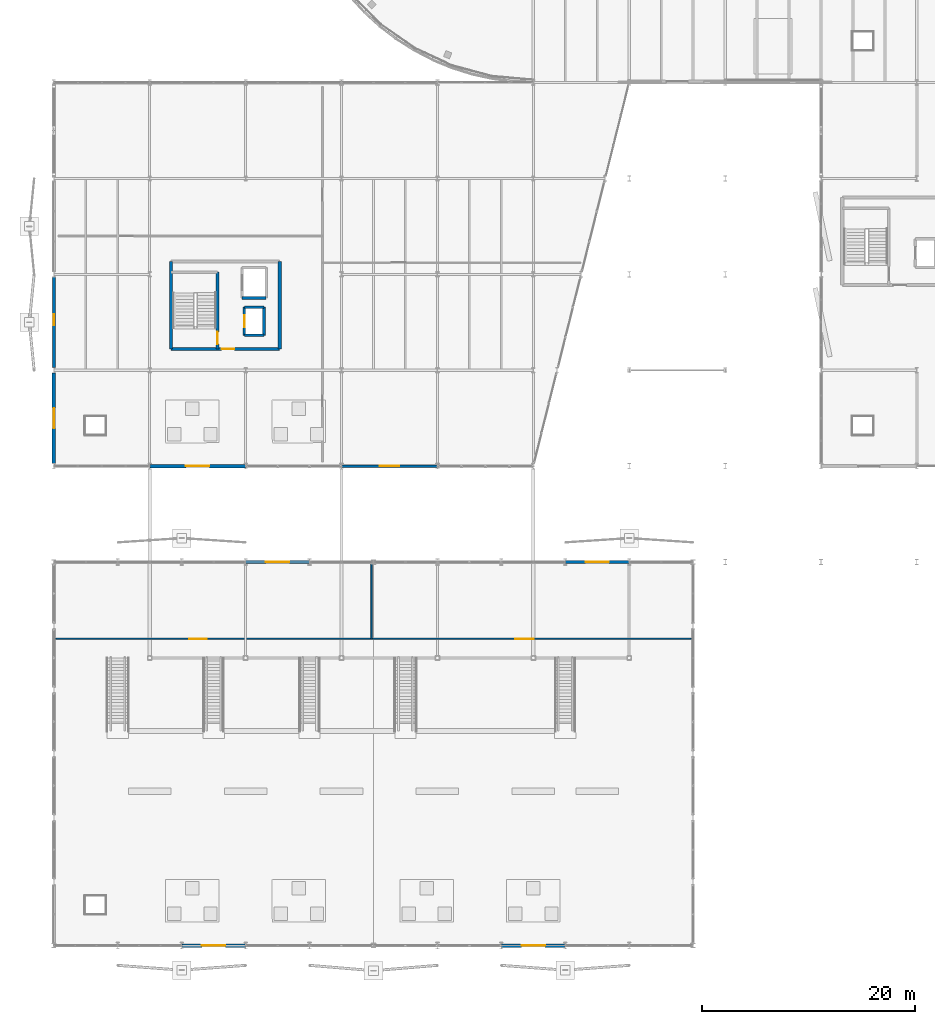
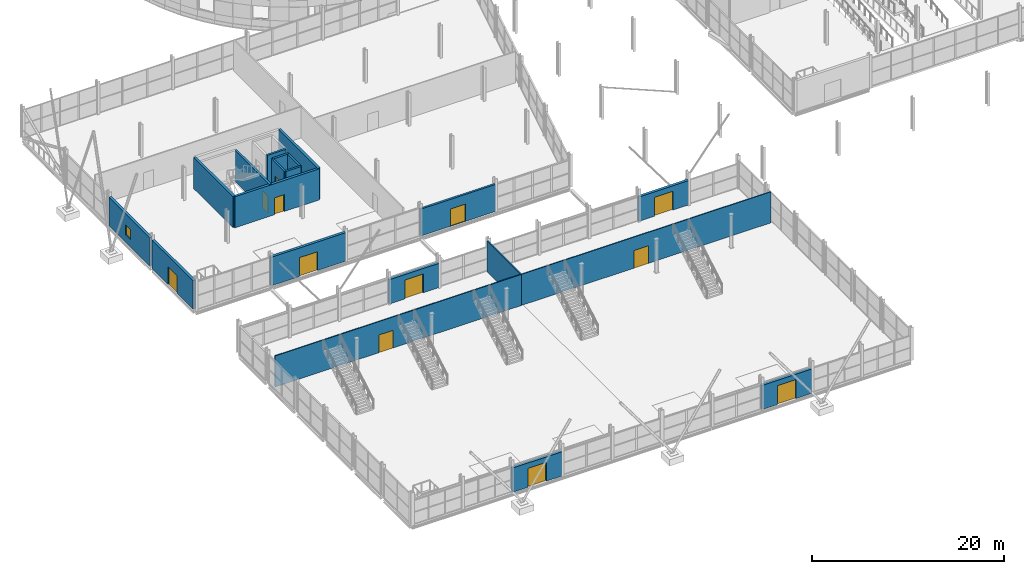
# One storey, part 119 of 140: 20 walls, 12 doors, 1 window, 13 openings.
"""IFC4 building model written with IfcOpenShell, lengths in metres."""

from ifc_helpers import new_model, si_unit, direction, frame, frame_2d, origin, place, context, subcontext, project, spatial, rectangle, extrude, material, layer, layer_set, type_object, element, fill, save


model = new_model("IFC4")

# Units and contexts
model_context = context("Model", 3, precision=1e-05, world=origin(), true_north=direction((0.0, 1.0)))
body_context = subcontext(model_context, "Body", "Model", "MODEL_VIEW")
ifc_project = project(units=[si_unit("LENGTHUNIT", "METRE"), si_unit("AREAUNIT", "SQUARE_METRE"), si_unit("VOLUMEUNIT", "CUBIC_METRE"), si_unit("PLANEANGLEUNIT", "RADIAN"), si_unit("MASSUNIT", "GRAM", prefix="KILO")], contexts=[model_context])

# Site, building, storey
site_placement = place(None, origin())
site = spatial("IfcSite", under=ifc_project, at=site_placement, CompositionType="ELEMENT")
building_placement = place(site_placement, origin())
building = spatial("IfcBuilding", under=site, at=building_placement, Name="Deido Ridge Mobility Hub", CompositionType="ELEMENT")
storey_placement = place(building_placement, origin())
storey = spatial("IfcBuildingStorey", under=building, at=storey_placement, Name="L00", CompositionType="ELEMENT", Elevation=0.0)

# Wall, opening, door
ifc_material_1 = material(Name="Concrete blockwork masonry", Category="masonry")
ifc_layer_1 = layer(ifc_material_1, 0.2451171875, Name="Concrete blockwork masonry")
ifc_layer_set_1 = layer_set([ifc_layer_1], Name="Concrete blockwork masonry")
wall_type_1 = type_object("IfcWallType", Name="WL-EXT-BLK-245", PredefinedType="STANDARD", material=ifc_layer_set_1)
wall_1_placement = place(storey_placement, frame((27.007080078125, 45.0, 0.0), z_axis=(0.0, 0.0, 1.0), x_axis=(1.0, 0.0, 0.0)))
wall_1 = element("IfcWall", 1, at=wall_1_placement, inside=storey, type_object=wall_type_1, Name="Exterior wall EW4", PredefinedType="STANDARD", context=body_context, shape_type="SweptSolid", body=[
    extrude(rectangle(XDim=8.98583984375, YDim=0.2451171875, at=frame_2d((4.492919921875, 0.0))), origin(), (0.0, 0.0, 1.0), 3.425048828125),
])
opening_1_placement = place(wall_1_placement, frame((3.5927734375, 0.0, 0.0)))
opening_1 = element("IfcOpeningElement", 2, at=opening_1_placement, cuts=wall_1, Name="Opening E4", PredefinedType="OPENING", context=body_context, shape_type="SweptSolid", body=[
    extrude(rectangle(XDim=1.800048828125, YDim=2.199951171875, at=frame_2d((0.89990234375, 1.10009765625))), frame((0.0, 0.132568359375, 0.0), z_axis=(0.0, -1.0, 0.0), x_axis=(1.0, 0.0, 0.0)), (0.0, 0.0, 1.0), 0.26513671875),
])
ifc_material_2 = material(Name="Anodised aluminium EN AW-6063 T6", Category="aluminium")
door_type_1 = type_object("IfcDoorType", Name="DR-EXT-1800X2200", OperationType="DOUBLE_DOOR_SINGLE_SWING", PredefinedType="DOOR", material=ifc_material_2)
door_1_placement = place(opening_1_placement, frame((1.800048828125, 0.0, 0.0), z_axis=(0.0, 0.0, 1.0), x_axis=(-1.0, 0.0, 0.0)))
door_1 = element("IfcDoor", 3, at=door_1_placement, inside=storey, type_object=door_type_1, Name="DR-E0007 Final exit door E4", OperationType="DOUBLE_DOOR_SINGLE_SWING", OverallHeight=2.199951171875, OverallWidth=1.800048828125, PredefinedType="DOOR", context=body_context, shape_type="SweptSolid", body=[
    extrude(rectangle(XDim=1.800048828125, YDim=2.199951171875, at=frame_2d((0.89990234375, 1.10009765625))), frame((0.0, 0.02490234375, 0.0), z_axis=(0.0, -1.0, 0.0), x_axis=(1.0, 0.0, 0.0)), (0.0, 0.0, 1.0), 0.050048828125),
])
fill(opening_1, door_1)

# Wall, opening, window
ifc_material_3 = material(Name="Fired clay brick masonry", Category="masonry")
ifc_layer_2 = layer(ifc_material_3, 0.294921875, Name="Fired clay brick masonry")
ifc_layer_set_2 = layer_set([ifc_layer_2], Name="Fired clay brick masonry")
wall_type_2 = type_object("IfcWallType", Name="WL-EXT-BRK-295", PredefinedType="STANDARD", material=ifc_layer_set_2)
wall_2_placement = place(storey_placement, frame((0.0, 54.25, 0.0), z_axis=(0.0, 0.0, 1.0), x_axis=(0.0, 1.0, 0.0)))
wall_2 = element("IfcWall", 4, at=wall_2_placement, inside=storey, type_object=wall_type_2, Name="Exterior wall EW2", PredefinedType="STANDARD", context=body_context, shape_type="SweptSolid", body=[
    extrude(rectangle(XDim=8.5, YDim=0.294921875, at=frame_2d((4.25, 0.0))), origin(), (0.0, 0.0, 1.0), 3.625),
])
opening_2_placement = place(wall_2_placement, frame((3.97509765625, 0.0, 0.949951171875)))
opening_2 = element("IfcOpeningElement", 5, at=opening_2_placement, cuts=wall_2, Name="Opening W2", PredefinedType="OPENING", context=body_context, shape_type="SweptSolid", body=[
    extrude(rectangle(XDim=1.050048828125, YDim=1.25, at=frame_2d((0.52490234375, 0.625))), frame((0.0, 0.157470703125, 0.0), z_axis=(0.0, -1.0, 0.0), x_axis=(1.0, 0.0, 0.0)), (0.0, 0.0, 1.0), 0.31494140625),
])
ifc_material_4 = material(Name="Laminated solar-control low-E glass", Category="glass")
window_type = type_object("IfcWindowType", Name="WN-ALU-1050X1250", PartitioningType="SINGLE_PANEL", PredefinedType="WINDOW", material=ifc_material_4)
window_placement = place(opening_2_placement, origin())
window = element("IfcWindow", 6, at=window_placement, inside=storey, type_object=window_type, Name="Exterior window W2", OverallHeight=1.25, OverallWidth=1.050048828125, PartitioningType="SINGLE_PANEL", PredefinedType="WINDOW", context=body_context, shape_type="SweptSolid", body=[
    extrude(rectangle(XDim=1.050048828125, YDim=1.25, at=frame_2d((0.52490234375, 0.625))), frame((0.0, 0.030029296875, 0.0), z_axis=(0.0, -1.0, 0.0), x_axis=(1.0, 0.0, 0.0)), (0.0, 0.0, 1.0), 0.06005859375),
])
fill(opening_2, window)

# Wall, opening, door
ifc_layer_3 = layer(ifc_material_3, 0.31005859375, Name="Fired clay brick masonry")
ifc_layer_set_3 = layer_set([ifc_layer_3], Name="Fired clay brick masonry")
wall_type_3 = type_object("IfcWallType", Name="WL-EXT-BRK-310", PredefinedType="STANDARD", material=ifc_layer_set_3)
wall_3_placement = place(storey_placement, frame((12.0078125, 0.0, 0.0), z_axis=(0.0, 0.0, 1.0), x_axis=(1.0, 0.0, 0.0)))
wall_3 = element("IfcWall", 7, at=wall_3_placement, inside=storey, type_object=wall_type_3, Name="Exterior wall EW1", PredefinedType="STANDARD", context=body_context, shape_type="SweptSolid", body=[
    extrude(rectangle(XDim=5.984375, YDim=0.31005859375, at=frame_2d((2.9921875, 0.0))), origin(), (0.0, 0.0, 1.0), 3.0849609375),
])
opening_3_placement = place(wall_3_placement, frame((1.892333984375, 0.0, 0.0)))
opening_3 = element("IfcOpeningElement", 8, at=opening_3_placement, cuts=wall_3, Name="Opening E1", PredefinedType="OPENING", context=body_context, shape_type="SweptSolid", body=[
    extrude(rectangle(XDim=2.199951171875, YDim=2.39990234375, at=frame_2d((1.10009765625, 1.199951171875))), frame((0.0, 0.1650390625, 0.0), z_axis=(0.0, -1.0, 0.0), x_axis=(1.0, 0.0, 0.0)), (0.0, 0.0, 1.0), 0.330078125),
])
door_type_2 = type_object("IfcDoorType", Name="DR-EXT-2200X2400", OperationType="DOUBLE_DOOR_SINGLE_SWING", PredefinedType="DOOR", material=ifc_material_2)
door_2_placement = place(opening_3_placement, frame((2.199951171875, 0.0, 0.0), z_axis=(0.0, 0.0, 1.0), x_axis=(-1.0, 0.0, 0.0)))
door_2 = element("IfcDoor", 9, at=door_2_placement, inside=storey, type_object=door_type_2, Name="DR-E0001 Final exit door E1", OperationType="DOUBLE_DOOR_SINGLE_SWING", OverallHeight=2.39990234375, OverallWidth=2.199951171875, PredefinedType="DOOR", context=body_context, shape_type="SweptSolid", body=[
    extrude(rectangle(XDim=2.199951171875, YDim=2.39990234375, at=frame_2d((1.10009765625, 1.199951171875))), frame((0.0, 0.02490234375, 0.0), z_axis=(0.0, -1.0, 0.0), x_axis=(1.0, 0.0, 0.0)), (0.0, 0.0, 1.0), 0.050048828125),
])
fill(opening_3, door_2)

wall_4_placement = place(storey_placement, frame((18.0078125, 36.0, 0.0), z_axis=(0.0, 0.0, 1.0), x_axis=(1.0, 0.0, 0.0)))
wall_4 = element("IfcWall", 10, at=wall_4_placement, inside=storey, type_object=wall_type_3, Name="Exterior wall EW1", PredefinedType="STANDARD", context=body_context, shape_type="SweptSolid", body=[
    extrude(rectangle(XDim=5.984375, YDim=0.31005859375, at=frame_2d((2.9921875, 0.0))), origin(), (0.0, 0.0, 1.0), 3.0849609375),
])
opening_4_placement = place(wall_4_placement, frame((1.89208984375, 0.0, 0.0)))
opening_4 = element("IfcOpeningElement", 11, at=opening_4_placement, cuts=wall_4, Name="Opening E11", PredefinedType="OPENING", context=body_context, shape_type="SweptSolid", body=[
    extrude(rectangle(XDim=2.199951171875, YDim=2.39990234375, at=frame_2d((1.10009765625, 1.199951171875))), frame((0.0, 0.1650390625, 0.0), z_axis=(0.0, -1.0, 0.0), x_axis=(1.0, 0.0, 0.0)), (0.0, 0.0, 1.0), 0.330078125),
])
door_3_placement = place(opening_4_placement, origin())
door_3 = element("IfcDoor", 12, at=door_3_placement, inside=storey, type_object=door_type_2, Name="DR-E0002 Final exit door E11", OperationType="DOUBLE_DOOR_SINGLE_SWING", OverallHeight=2.39990234375, OverallWidth=2.199951171875, PredefinedType="DOOR", context=body_context, shape_type="SweptSolid", body=[
    extrude(rectangle(XDim=2.199951171875, YDim=2.39990234375, at=frame_2d((1.10009765625, 1.199951171875))), frame((0.0, 0.02490234375, 0.0), z_axis=(0.0, -1.0, 0.0), x_axis=(1.0, 0.0, 0.0)), (0.0, 0.0, 1.0), 0.050048828125),
])
fill(opening_4, door_3)

wall_5_placement = place(storey_placement, frame((42.0078125, 0.0, 0.0), z_axis=(0.0, 0.0, 1.0), x_axis=(1.0, 0.0, 0.0)))
wall_5 = element("IfcWall", 13, at=wall_5_placement, inside=storey, type_object=wall_type_3, Name="Exterior wall EW1", PredefinedType="STANDARD", context=body_context, shape_type="SweptSolid", body=[
    extrude(rectangle(XDim=5.984375, YDim=0.31005859375, at=frame_2d((2.9921875, 0.0))), origin(), (0.0, 0.0, 1.0), 3.0849609375),
])
opening_5_placement = place(wall_5_placement, frame((1.89208984375, 0.0, 0.0)))
opening_5 = element("IfcOpeningElement", 14, at=opening_5_placement, cuts=wall_5, Name="Opening E2", PredefinedType="OPENING", context=body_context, shape_type="SweptSolid", body=[
    extrude(rectangle(XDim=2.199951171875, YDim=2.39990234375, at=frame_2d((1.10009765625, 1.199951171875))), frame((0.0, 0.1650390625, 0.0), z_axis=(0.0, -1.0, 0.0), x_axis=(1.0, 0.0, 0.0)), (0.0, 0.0, 1.0), 0.330078125),
])
door_4_placement = place(opening_5_placement, frame((2.199951171875, 0.0, 0.0), z_axis=(0.0, 0.0, 1.0), x_axis=(-1.0, 0.0, 0.0)))
door_4 = element("IfcDoor", 15, at=door_4_placement, inside=storey, type_object=door_type_2, Name="DR-E0003 Final exit door E2", OperationType="DOUBLE_DOOR_SINGLE_SWING", OverallHeight=2.39990234375, OverallWidth=2.199951171875, PredefinedType="DOOR", context=body_context, shape_type="SweptSolid", body=[
    extrude(rectangle(XDim=2.199951171875, YDim=2.39990234375, at=frame_2d((1.10009765625, 1.199951171875))), frame((0.0, 0.02490234375, 0.0), z_axis=(0.0, -1.0, 0.0), x_axis=(1.0, 0.0, 0.0)), (0.0, 0.0, 1.0), 0.050048828125),
])
fill(opening_5, door_4)

wall_6_placement = place(storey_placement, frame((48.0078125, 36.0, 0.0), z_axis=(0.0, 0.0, 1.0), x_axis=(1.0, 0.0, 0.0)))
wall_6 = element("IfcWall", 16, at=wall_6_placement, inside=storey, type_object=wall_type_3, Name="Exterior wall EW1", PredefinedType="STANDARD", context=body_context, shape_type="SweptSolid", body=[
    extrude(rectangle(XDim=5.984375, YDim=0.31005859375, at=frame_2d((2.9921875, 0.0))), origin(), (0.0, 0.0, 1.0), 3.10009765625),
])
opening_6_placement = place(wall_6_placement, frame((1.89208984375, 0.0, 0.0)))
opening_6 = element("IfcOpeningElement", 17, at=opening_6_placement, cuts=wall_6, Name="Opening E12", PredefinedType="OPENING", context=body_context, shape_type="SweptSolid", body=[
    extrude(rectangle(XDim=2.199951171875, YDim=2.39990234375, at=frame_2d((1.10009765625, 1.199951171875))), frame((0.0, 0.1650390625, 0.0), z_axis=(0.0, -1.0, 0.0), x_axis=(1.0, 0.0, 0.0)), (0.0, 0.0, 1.0), 0.330078125),
])
door_5_placement = place(opening_6_placement, origin())
door_5 = element("IfcDoor", 18, at=door_5_placement, inside=storey, type_object=door_type_2, Name="DR-E0004 Final exit door E12", OperationType="DOUBLE_DOOR_SINGLE_SWING", OverallHeight=2.39990234375, OverallWidth=2.199951171875, PredefinedType="DOOR", context=body_context, shape_type="SweptSolid", body=[
    extrude(rectangle(XDim=2.199951171875, YDim=2.39990234375, at=frame_2d((1.10009765625, 1.199951171875))), frame((0.0, 0.02490234375, 0.0), z_axis=(0.0, -1.0, 0.0), x_axis=(1.0, 0.0, 0.0)), (0.0, 0.0, 1.0), 0.050048828125),
])
fill(opening_6, door_5)

wall_7_placement = place(storey_placement, frame((0.0, 45.25, 0.0), z_axis=(0.0, 0.0, 1.0), x_axis=(0.0, 1.0, 0.0)))
wall_7 = element("IfcWall", 19, at=wall_7_placement, inside=storey, type_object=wall_type_3, Name="Exterior wall EW1", PredefinedType="STANDARD", context=body_context, shape_type="SweptSolid", body=[
    extrude(rectangle(XDim=8.5, YDim=0.31005859375, at=frame_2d((4.25, 0.0))), origin(), (0.0, 0.0, 1.0), 3.625),
])
opening_7_placement = place(wall_7_placement, frame((3.300048828125, 0.0, 0.0)))
opening_7 = element("IfcOpeningElement", 20, at=opening_7_placement, cuts=wall_7, Name="Opening E3", PredefinedType="OPENING", context=body_context, shape_type="SweptSolid", body=[
    extrude(rectangle(XDim=1.89990234375, YDim=2.25, at=frame_2d((0.949951171875, 1.125))), frame((0.0, 0.1650390625, 0.0), z_axis=(0.0, -1.0, 0.0), x_axis=(1.0, 0.0, 0.0)), (0.0, 0.0, 1.0), 0.330078125),
])
door_type_3 = type_object("IfcDoorType", Name="DR-EXT-1900X2250", OperationType="DOUBLE_DOOR_SINGLE_SWING", PredefinedType="DOOR", material=ifc_material_2)
door_6_placement = place(opening_7_placement, origin())
door_6 = element("IfcDoor", 21, at=door_6_placement, inside=storey, type_object=door_type_3, Name="DR-E0005 Final exit door E3", OperationType="DOUBLE_DOOR_SINGLE_SWING", OverallHeight=2.25, OverallWidth=1.89990234375, PredefinedType="DOOR", context=body_context, shape_type="SweptSolid", body=[
    extrude(rectangle(XDim=1.89990234375, YDim=2.25, at=frame_2d((0.949951171875, 1.125))), frame((0.0, 0.02490234375, 0.0), z_axis=(0.0, -1.0, 0.0), x_axis=(1.0, 0.0, 0.0)), (0.0, 0.0, 1.0), 0.050048828125),
])
fill(opening_7, door_6)

wall_8_placement = place(storey_placement, frame((9.00732421875, 45.0, 0.0), z_axis=(0.0, 0.0, 1.0), x_axis=(1.0, 0.0, 0.0)))
wall_8 = element("IfcWall", 22, at=wall_8_placement, inside=storey, type_object=wall_type_3, Name="Exterior wall EW1", PredefinedType="STANDARD", context=body_context, shape_type="SweptSolid", body=[
    extrude(rectangle(XDim=8.985595703125, YDim=0.31005859375, at=frame_2d((4.49267578125, 0.0))), origin(), (0.0, 0.0, 1.0), 3.625),
])
opening_8_placement = place(wall_8_placement, frame((3.392578125, 0.0, 0.0)))
opening_8 = element("IfcOpeningElement", 23, at=opening_8_placement, cuts=wall_8, Name="Opening E13", PredefinedType="OPENING", context=body_context, shape_type="SweptSolid", body=[
    extrude(rectangle(XDim=2.199951171875, YDim=2.39990234375, at=frame_2d((1.10009765625, 1.199951171875))), frame((0.0, 0.1650390625, 0.0), z_axis=(0.0, -1.0, 0.0), x_axis=(1.0, 0.0, 0.0)), (0.0, 0.0, 1.0), 0.330078125),
])
door_7_placement = place(opening_8_placement, frame((2.199951171875, 0.0, 0.0), z_axis=(0.0, 0.0, 1.0), x_axis=(-1.0, 0.0, 0.0)))
door_7 = element("IfcDoor", 24, at=door_7_placement, inside=storey, type_object=door_type_2, Name="DR-E0006 Final exit door E13", OperationType="DOUBLE_DOOR_SINGLE_SWING", OverallHeight=2.39990234375, OverallWidth=2.199951171875, PredefinedType="DOOR", context=body_context, shape_type="SweptSolid", body=[
    extrude(rectangle(XDim=2.199951171875, YDim=2.39990234375, at=frame_2d((1.10009765625, 1.199951171875))), frame((0.0, 0.02490234375, 0.0), z_axis=(0.0, -1.0, 0.0), x_axis=(1.0, 0.0, 0.0)), (0.0, 0.0, 1.0), 0.050048828125),
])
fill(opening_8, door_7)

ifc_material_5 = material(Name="Treated tropical hardwood timber D40", Category="wood")
ifc_layer_4 = layer(ifc_material_5, 0.10498046875, Name="Treated tropical hardwood timber D40")
ifc_layer_set_4 = layer_set([ifc_layer_4], Name="Treated tropical hardwood timber D40")
wall_type_4 = type_object("IfcWallType", Name="WL-MOV-ACO-105", PredefinedType="MOVABLE", material=ifc_layer_set_4)
wall_9_placement = place(storey_placement, frame((29.800048828125, 28.800048828125, 0.0), z_axis=(0.0, 0.0, 1.0), x_axis=(1.0, 0.0, 0.0)))
wall_9 = element("IfcWall", 25, at=wall_9_placement, inside=storey, type_object=wall_type_4, Name="Waiting lounge acoustic movable wall", PredefinedType="MOVABLE", context=body_context, shape_type="SweptSolid", body=[
    extrude(rectangle(XDim=30.0, YDim=0.10498046875, at=frame_2d((15.0, 0.0))), origin(), (0.0, 0.0, 1.0), 3.949951171875),
])
opening_9_placement = place(wall_9_placement, frame((13.5, 0.0, 0.0)))
opening_9 = element("IfcOpeningElement", 26, at=opening_9_placement, cuts=wall_9, Name="Opening DR-L00-214", PredefinedType="OPENING", context=body_context, shape_type="SweptSolid", body=[
    extrude(rectangle(XDim=1.75, YDim=2.25, at=frame_2d((0.875, 1.125))), frame((0.0, 0.0625, 0.0), z_axis=(0.0, -1.0, 0.0), x_axis=(1.0, 0.0, 0.0)), (0.0, 0.0, 1.0), 0.125),
])
door_type_4 = type_object("IfcDoorType", Name="DR-INT-1750X2250", OperationType="DOUBLE_DOOR_SINGLE_SWING", PredefinedType="DOOR", material=ifc_material_5)
door_8_placement = place(opening_9_placement, origin())
door_8 = element("IfcDoor", 27, at=door_8_placement, inside=storey, type_object=door_type_4, Name="DR-I0214 Waiting lounge double door", OperationType="DOUBLE_DOOR_SINGLE_SWING", OverallHeight=2.25, OverallWidth=1.75, PredefinedType="DOOR", context=body_context, shape_type="SweptSolid", body=[
    extrude(rectangle(XDim=1.75, YDim=2.25, at=frame_2d((0.875, 1.125))), frame((0.0, 0.02490234375, 0.0), z_axis=(0.0, -1.0, 0.0), x_axis=(1.0, 0.0, 0.0)), (0.0, 0.0, 1.0), 0.050048828125),
])
fill(opening_9, door_8)

ifc_layer_5 = layer(ifc_material_5, 0.114990234375, Name="Treated tropical hardwood timber D40")
ifc_layer_set_5 = layer_set([ifc_layer_5], Name="Treated tropical hardwood timber D40")
wall_type_5 = type_object("IfcWallType", Name="WL-MOV-ACO-115", PredefinedType="MOVABLE", material=ifc_layer_set_5)
wall_10_placement = place(storey_placement, frame((0.199951171875, 28.800048828125, 0.0), z_axis=(0.0, 0.0, 1.0), x_axis=(1.0, 0.0, 0.0)))
wall_10 = element("IfcWall", 28, at=wall_10_placement, inside=storey, type_object=wall_type_5, Name="Ticketing salon glazed screen wall", PredefinedType="MOVABLE", context=body_context, shape_type="SweptSolid", body=[
    extrude(rectangle(XDim=29.60009765625, YDim=0.114990234375, at=frame_2d((14.800048828125, 0.0))), origin(), (0.0, 0.0, 1.0), 3.949951171875),
])
opening_10_placement = place(wall_10_placement, frame((12.5, 0.0, 0.0)))
opening_10 = element("IfcOpeningElement", 29, at=opening_10_placement, cuts=wall_10, Name="Opening DR-L00-213", PredefinedType="OPENING", context=body_context, shape_type="SweptSolid", body=[
    extrude(rectangle(XDim=1.64990234375, YDim=2.25, at=frame_2d((0.824951171875, 1.125))), frame((0.0, 0.0673828125, 0.0), z_axis=(0.0, -1.0, 0.0), x_axis=(1.0, 0.0, 0.0)), (0.0, 0.0, 1.0), 0.135009765625),
])
door_type_5 = type_object("IfcDoorType", Name="DR-INT-1650X2250", OperationType="DOUBLE_DOOR_SINGLE_SWING", PredefinedType="DOOR", material=ifc_material_5)
door_9_placement = place(opening_10_placement, origin())
door_9 = element("IfcDoor", 30, at=door_9_placement, inside=storey, type_object=door_type_5, Name="DR-I0213 Ticketing salon double door", OperationType="DOUBLE_DOOR_SINGLE_SWING", OverallHeight=2.25, OverallWidth=1.64990234375, PredefinedType="DOOR", context=body_context, shape_type="SweptSolid", body=[
    extrude(rectangle(XDim=1.64990234375, YDim=2.25, at=frame_2d((0.824951171875, 1.125))), frame((0.0, 0.02490234375, 0.0), z_axis=(0.0, -1.0, 0.0), x_axis=(1.0, 0.0, 0.0)), (0.0, 0.0, 1.0), 0.050048828125),
])
fill(opening_10, door_9)

# Wall
ifc_layer_6 = layer(ifc_material_1, 0.1298828125, Name="Concrete blockwork masonry")
ifc_layer_set_6 = layer_set([ifc_layer_6], Name="Concrete blockwork masonry")
wall_type_6 = type_object("IfcWallType", Name="WL-PRT-BLK-130", PredefinedType="PARTITIONING", material=ifc_layer_set_6)
wall_11_placement = place(storey_placement, frame((29.800048828125, 28.800048828125, 0.0), z_axis=(0.0, 0.0, 1.0), x_axis=(0.0, 1.0, 0.0)))
element("IfcWall", 31, at=wall_11_placement, inside=storey, type_object=wall_type_6, Name="Salon-lounge divider wall", PredefinedType="PARTITIONING", context=body_context, shape_type="SweptSolid", body=[
    extrude(rectangle(XDim=7.0, YDim=0.1298828125, at=frame_2d((3.5, 0.0))), origin(), (0.0, 0.0, 1.0), 3.949951171875),
])

# Wall, opening, door
ifc_material_6 = material(Name="Concrete C40/50", Category="concrete")
ifc_layer_7 = layer(ifc_material_6, 0.25, Name="Concrete C40/50")
ifc_layer_set_7 = layer_set([ifc_layer_7], Name="Concrete C40/50")
wall_type_7 = type_object("IfcWallType", Name="WL-SHR-RC-250", PredefinedType="SHEAR", material=ifc_layer_set_7)
wall_12_placement = place(storey_placement, frame((15.360107421875, 56.0, 0.0), z_axis=(0.0, 0.0, 1.0), x_axis=(0.0, 1.0, 0.0)))
wall_12 = element("IfcWall", 32, at=wall_12_placement, inside=storey, type_object=wall_type_7, Name="C6 stair shaft east wall", PredefinedType="SHEAR", context=body_context, shape_type="SweptSolid", body=[
    extrude(rectangle(XDim=7.199951171875, YDim=0.25, at=frame_2d((3.60009765625, 0.0))), origin(), (0.0, 0.0, 1.0), 3.949951171875),
])
opening_11_placement = place(wall_12_placement, frame((0.449951171875, 0.0, 0.0)))
opening_11 = element("IfcOpeningElement", 33, at=opening_11_placement, cuts=wall_12, Name="Opening FD-C6-L00", PredefinedType="OPENING", context=body_context, shape_type="SweptSolid", body=[
    extrude(rectangle(XDim=1.14990234375, YDim=2.14990234375, at=frame_2d((0.574951171875, 1.074951171875))), frame((0.0, 0.135009765625, 0.0), z_axis=(0.0, -1.0, 0.0), x_axis=(1.0, 0.0, 0.0)), (0.0, 0.0, 1.0), 0.27001953125),
])
ifc_material_7 = material(Name="Galvanised steel work", Category="steel")
door_type_6 = type_object("IfcDoorType", Name="DR-FD60-1150X2150", OperationType="NOTDEFINED", PredefinedType="DOOR", material=ifc_material_7)
door_10_placement = place(opening_11_placement, origin())
door_10 = element("IfcDoor", 34, at=door_10_placement, inside=storey, type_object=door_type_6, Name="DR-I0122 C6 protected stair door (L00)", OperationType="SINGLE_SWING_LEFT", OverallHeight=2.14990234375, OverallWidth=1.14990234375, PredefinedType="DOOR", context=body_context, shape_type="SweptSolid", body=[
    extrude(rectangle(XDim=1.14990234375, YDim=2.14990234375, at=frame_2d((0.574951171875, 1.074951171875))), frame((0.0, 0.02490234375, 0.0), z_axis=(0.0, -1.0, 0.0), x_axis=(1.0, 0.0, 0.0)), (0.0, 0.0, 1.0), 0.050048828125),
])
fill(opening_11, door_10)

# Walls
for number, where, z_axis, x_axis, name in (
    (35, (17.875, 57.27490234375, 0.0), (0.0, 0.0, 1.0), (1.0, 0.0, 0.0), "Lift PL4 south shaft wall"),
    (36, (17.875, 59.925048828125, 0.0), (0.0, 0.0, 1.0), (1.0, 0.0, 0.0), "Lift PL4 north shaft wall"),
):
    element("IfcWall", number, at=place(storey_placement, frame(where, z_axis=z_axis, x_axis=x_axis)), inside=storey, type_object=wall_type_7, Name=name, PredefinedType="SHEAR", context=body_context, shape_type="SweptSolid", body=[
        extrude(rectangle(XDim=1.85009765625, YDim=0.25, at=frame_2d((0.925048828125, 0.0))), origin(), (0.0, 0.0, 1.0), 3.949951171875),
    ])
wall_13_placement = place(storey_placement, frame((19.72509765625, 57.27490234375, 0.0), z_axis=(0.0, 0.0, 1.0), x_axis=(0.0, 1.0, 0.0)))
element("IfcWall", 37, at=wall_13_placement, inside=storey, type_object=wall_type_7, Name="Lift PL4 rear shaft wall", PredefinedType="SHEAR", context=body_context, shape_type="SweptSolid", body=[
    extrude(rectangle(XDim=2.650146484375, YDim=0.25, at=frame_2d((1.3251953125, 0.0))), origin(), (0.0, 0.0, 1.0), 3.949951171875),
])

# Wall, opening, door
wall_14_placement = place(storey_placement, frame((17.875, 57.27490234375, 0.0), z_axis=(0.0, 0.0, 1.0), x_axis=(0.0, 1.0, 0.0)))
wall_14 = element("IfcWall", 38, at=wall_14_placement, inside=storey, type_object=wall_type_7, Name="Lift PL4 landing wall", PredefinedType="SHEAR", context=body_context, shape_type="SweptSolid", body=[
    extrude(rectangle(XDim=2.650146484375, YDim=0.25, at=frame_2d((1.3251953125, 0.0))), origin(), (0.0, 0.0, 1.0), 3.949951171875),
])
opening_12_placement = place(wall_14_placement, frame((0.77490234375, 0.0, 0.0)))
opening_12 = element("IfcOpeningElement", 39, at=opening_12_placement, cuts=wall_14, Name="Opening LD-PL4", PredefinedType="OPENING", context=body_context, shape_type="SweptSolid", body=[
    extrude(rectangle(XDim=1.10009765625, YDim=2.14990234375, at=frame_2d((0.550048828125, 1.074951171875))), frame((0.0, 0.135009765625, 0.0), z_axis=(0.0, -1.0, 0.0), x_axis=(1.0, 0.0, 0.0)), (0.0, 0.0, 1.0), 0.27001953125),
])
ifc_material_8 = material(Name="Stainless steel 316", Category="steel")
door_type_7 = type_object("IfcDoorType", Name="DR-LND-PAS-1100X2150", OperationType="DOUBLE_DOOR_SLIDING", PredefinedType="USERDEFINED", material=ifc_material_8)
door_11_placement = place(opening_12_placement, origin())
door_11 = element("IfcDoor", 40, at=door_11_placement, inside=storey, type_object=door_type_7, Name="DR-I0124 Lift PL4 sliding landing door (L00)", ObjectType="LANDING DOOR", OperationType="DOUBLE_DOOR_SLIDING", OverallHeight=2.14990234375, OverallWidth=1.10009765625, PredefinedType="USERDEFINED", context=body_context, shape_type="SweptSolid", body=[
    extrude(rectangle(XDim=1.10009765625, YDim=2.14990234375, at=frame_2d((0.550048828125, 1.074951171875))), frame((0.0, 0.02490234375, 0.0), z_axis=(0.0, -1.0, 0.0), x_axis=(1.0, 0.0, 0.0)), (0.0, 0.0, 1.0), 0.050048828125),
])
fill(opening_12, door_11)

# Wall
wall_15_placement = place(storey_placement, frame((17.675048828125, 60.77490234375, 0.0), z_axis=(0.0, 0.0, 1.0), x_axis=(1.0, 0.0, 0.0)))
element("IfcWall", 41, at=wall_15_placement, inside=storey, type_object=wall_type_7, Name="Lift GL2 south shaft wall", PredefinedType="SHEAR", context=body_context, shape_type="SweptSolid", body=[
    extrude(rectangle(XDim=2.25, YDim=0.25, at=frame_2d((1.125, 0.0))), origin(), (0.0, 0.0, 1.0), 3.949951171875),
])

# Wall, opening, door
ifc_layer_8 = layer(ifc_material_6, 0.300048828125, Name="Concrete C40/50")
ifc_layer_set_8 = layer_set([ifc_layer_8], Name="Concrete C40/50")
wall_type_8 = type_object("IfcWallType", Name="WL-SHR-RC-300", PredefinedType="SHEAR", material=ifc_layer_set_8)
wall_16_placement = place(storey_placement, frame((11.0, 56.0, 0.0), z_axis=(0.0, 0.0, 1.0), x_axis=(1.0, 0.0, 0.0)))
wall_16 = element("IfcWall", 42, at=wall_16_placement, inside=storey, type_object=wall_type_8, Name="C6 south shear wall", PredefinedType="SHEAR", context=body_context, shape_type="SweptSolid", body=[
    extrude(rectangle(XDim=10.199951171875, YDim=0.300048828125, at=frame_2d((5.10009765625, 0.0))), origin(), (0.0, 0.0, 1.0), 3.949951171875),
])
opening_13_placement = place(wall_16_placement, frame((4.75, 0.0, 0.0)))
opening_13 = element("IfcOpeningElement", 43, at=opening_13_placement, cuts=wall_16, Name="Opening LD-C6-123", PredefinedType="OPENING", context=body_context, shape_type="SweptSolid", body=[
    extrude(rectangle(XDim=1.199951171875, YDim=2.14990234375, at=frame_2d((0.60009765625, 1.074951171875))), frame((0.0, 0.16015625, 0.0), z_axis=(0.0, -1.0, 0.0), x_axis=(1.0, 0.0, 0.0)), (0.0, 0.0, 1.0), 0.320068359375),
])
door_type_8 = type_object("IfcDoorType", Name="DR-FD60-1200X2150", OperationType="NOTDEFINED", PredefinedType="DOOR", material=ifc_material_7)
door_12_placement = place(opening_13_placement, origin())
door_12 = element("IfcDoor", 44, at=door_12_placement, inside=storey, type_object=door_type_8, Name="DR-I0123 C6 lift lobby door (L00)", OperationType="SINGLE_SWING_RIGHT", OverallHeight=2.14990234375, OverallWidth=1.199951171875, PredefinedType="DOOR", context=body_context, shape_type="SweptSolid", body=[
    extrude(rectangle(XDim=1.199951171875, YDim=2.14990234375, at=frame_2d((0.60009765625, 1.074951171875))), frame((0.0, 0.02490234375, 0.0), z_axis=(0.0, -1.0, 0.0), x_axis=(1.0, 0.0, 0.0)), (0.0, 0.0, 1.0), 0.050048828125),
])
fill(opening_13, door_12)

# Walls
for number, where, z_axis, x_axis, name in (
    (45, (21.199951171875, 56.0, 0.0), (0.0, 0.0, 1.0), (0.0, 1.0, 0.0), "C6 east shear wall"),
    (46, (11.0, 64.199951171875, 0.0), (0.0, 0.0, 1.0), (0.0, -1.0, 0.0), "C6 west shear wall"),
):
    element("IfcWall", number, at=place(storey_placement, frame(where, z_axis=z_axis, x_axis=x_axis)), inside=storey, type_object=wall_type_8, Name=name, PredefinedType="SHEAR", context=body_context, shape_type="SweptSolid", body=[
        extrude(rectangle(XDim=8.199951171875, YDim=0.300048828125, at=frame_2d((4.10009765625, 0.0))), origin(), (0.0, 0.0, 1.0), 3.949951171875),
    ])

save(model, "model.ifc")
